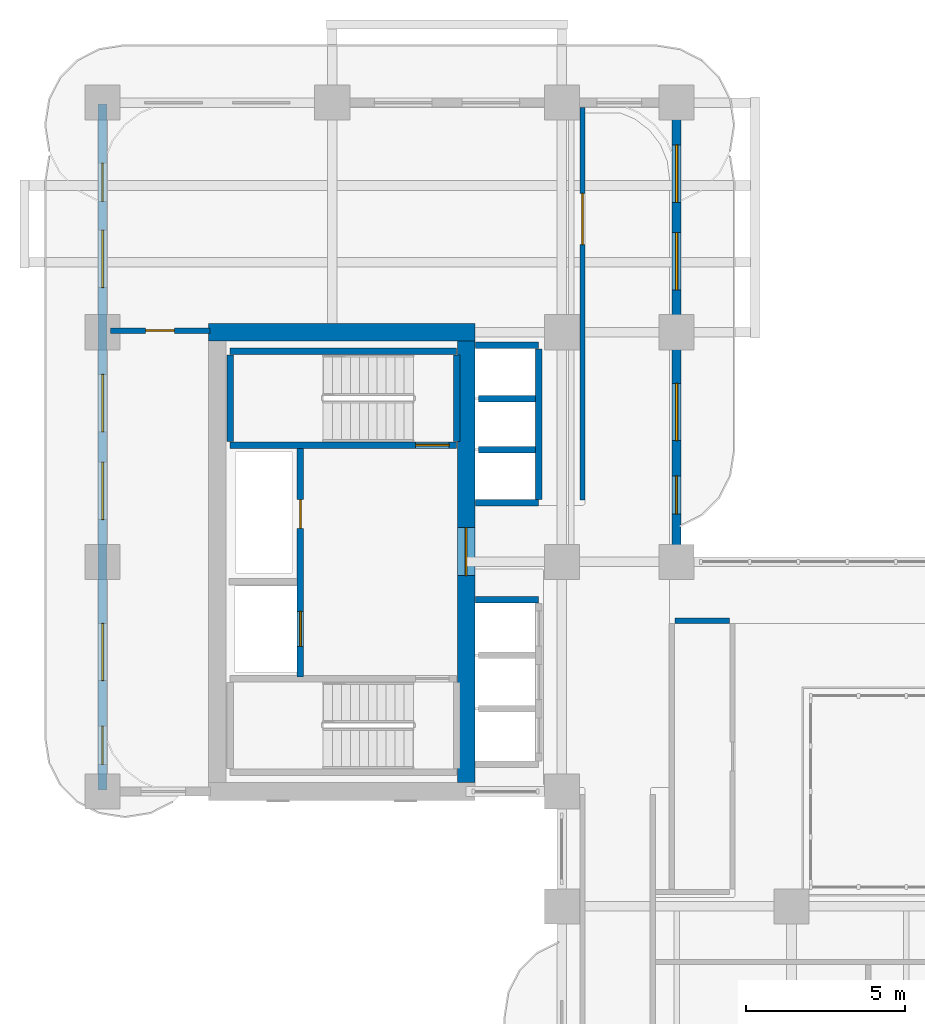
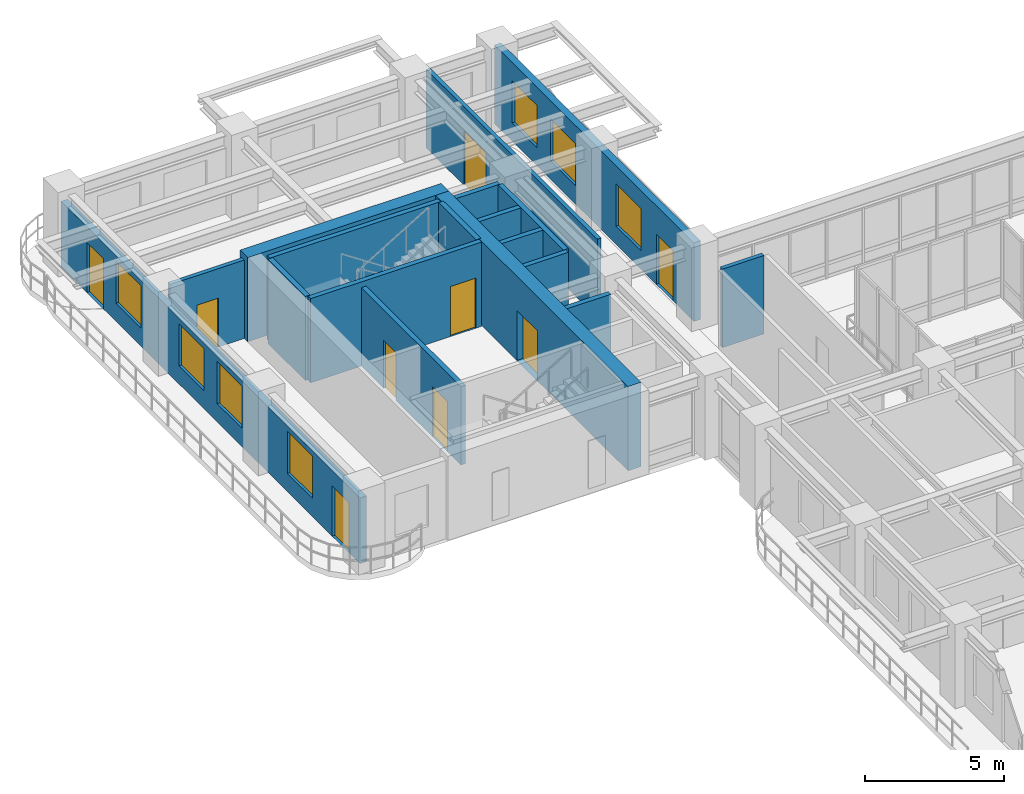
# One storey, part 16 of 22: 18 walls, 9 doors, 7 windows, 16 openings.
"""IFC4 building model written with IfcOpenShell, lengths in metres."""

from ifc_helpers import new_model, si_unit, derived_unit, direction, frame, frame_2d, origin, place, context, subcontext, project, spatial, rectangle, extrude, source, transform, mapped, material, layer, layer_set, type_object, type_shapes, element, fill, save


model = new_model("IFC4")

# Units and contexts
model_context = context("Model", 3, precision=1e-05, world=origin(), true_north=direction((0.0, 1.0)))
body_context = subcontext(model_context, "Body", "Model", "MODEL_VIEW")
ifc_project = project(units=[si_unit("LENGTHUNIT", "METRE"), si_unit("AREAUNIT", "SQUARE_METRE"), si_unit("VOLUMEUNIT", "CUBIC_METRE"), si_unit("PLANEANGLEUNIT", "RADIAN"), si_unit("MASSUNIT", "GRAM", prefix="KILO"), si_unit("THERMODYNAMICTEMPERATUREUNIT", "KELVIN"), si_unit("POWERUNIT", "WATT"), derived_unit("THERMALTRANSMITTANCEUNIT", [(si_unit("POWERUNIT", "WATT"), 1), (si_unit("AREAUNIT", "SQUARE_METRE"), -1), (si_unit("THERMODYNAMICTEMPERATUREUNIT", "KELVIN"), -1)])], contexts=[model_context])

# Site, building, storey
site_placement = place(None, origin())
site = spatial("IfcSite", under=ifc_project, at=site_placement, CompositionType="ELEMENT")
building_placement = place(site_placement, origin())
building = spatial("IfcBuilding", under=site, at=building_placement, Name="Zahravan Archway Hotel and Residences", CompositionType="ELEMENT")
storey_placement = place(building_placement, frame((0.0, 0.0, 95.300048828125)))
storey = spatial("IfcBuildingStorey", under=building, at=storey_placement, Name="L23", CompositionType="ELEMENT", Elevation=95.300048828125)

# Wall
ifc_material_1 = material(Name="Concrete C70/85", Category="concrete")
ifc_layer_1 = layer(ifc_material_1, 0.550048828125, Name="Concrete C70/85", Category="concrete")
ifc_layer_set_1 = layer_set([ifc_layer_1], Name="Concrete C70/85")
wall_type_1 = type_object("IfcWallType", Name="CW-CORE-550", PredefinedType="SHEAR", material=ifc_layer_set_1)
wall_1_placement = place(storey_placement, frame((3.324951171875, 39.60009765625, 0.0), z_axis=(0.0, 0.0, 1.0), x_axis=(1.0, 0.0, 0.0)))
element("IfcWall", 1, at=wall_1_placement, inside=storey, type_object=wall_type_1, Name="L23 Core B Shear N Wall 550 mm", PredefinedType="SHEAR", context=body_context, shape_type="SweptSolid", body=[
    extrude(rectangle(XDim=8.35009765625, YDim=0.550048828125, at=frame_2d((4.175048828125, 0.0))), origin(), (0.0, 0.0, 1.0), 3.699951171875),
])

# Wall, opening, door
wall_2_placement = place(storey_placement, frame((11.39990234375, 25.47509765625, 0.0), z_axis=(0.0, 0.0, 1.0), x_axis=(0.0, 1.0, 0.0)))
wall_2 = element("IfcWall", 2, at=wall_2_placement, inside=storey, type_object=wall_type_1, Name="L23 Core B Shear E Wall 550 mm", PredefinedType="SHEAR", context=body_context, shape_type="SweptSolid", body=[
    extrude(rectangle(XDim=13.849853515625, YDim=0.550048828125, at=frame_2d((6.9248046875, 0.0))), origin(), (0.0, 0.0, 1.0), 3.699951171875),
])
opening_1_placement = place(wall_2_placement, frame((6.4951171875, 0.0, 0.0)))
opening_1 = element("IfcOpeningElement", 3, at=opening_1_placement, cuts=wall_2, Name="Opening FD-L1", PredefinedType="OPENING", context=body_context, shape_type="SweptSolid", body=[
    extrude(rectangle(XDim=1.5, YDim=2.199951171875, at=frame_2d((0.75, 1.10009765625))), frame((0.0, 0.28515625, 0.0), z_axis=(0.0, -1.0, 0.0), x_axis=(1.0, 0.0, 0.0)), (0.0, 0.0, 1.0), 0.570068359375),
])
ifc_material_2 = material(Name="Fire-Rated Painted Steel", Category="steel")
door_type_1 = type_object("IfcDoorType", Name="FD-LOBBY-1500", OperationType="DOUBLE_DOOR_SINGLE_SWING", PredefinedType="DOOR", material=ifc_material_2)
shared_shape_1 = source(origin(), body_context, "Body", "SweptSolid", [
    extrude(rectangle(XDim=1.5, YDim=2.199951171875, at=frame_2d((0.75, 1.10009765625))), frame((0.0, 0.02490234375, 0.0), z_axis=(0.0, -1.0, 0.0), x_axis=(1.0, 0.0, 0.0)), (0.0, 0.0, 1.0), 0.050048828125),
])
type_shapes(door_type_1, [shared_shape_1])
door_1_placement = place(opening_1_placement, origin())
door_1 = element("IfcDoor", 4, at=door_1_placement, inside=storey, type_object=door_type_1, Name="L23 Core B FSAE Lobby Door", OperationType="DOUBLE_DOOR_SINGLE_SWING", OverallHeight=2.199951171875, OverallWidth=1.5, PredefinedType="DOOR", context=body_context, shape_type="MappedRepresentation", body=[
    mapped(shared_shape_1, transform((0.0, 0.0, 0.0), scale=1.0)),
])
fill(opening_1, door_1)

# Wall, openings, doors, windows
ifc_material_3 = material(Name="Honed Red-Ochre Sandstone & Insulated Block", Category="masonry")
ifc_layer_2 = layer(ifc_material_3, 0.280029296875, Name="Honed Red-Ochre Sandstone & Insulated Block", Category="masonry")
ifc_layer_set_2 = layer_set([ifc_layer_2], Name="Honed Red-Ochre Sandstone & Insulated Block")
wall_type_2 = type_object("IfcWallType", Name="EW-LOG-280", PredefinedType="SOLIDWALL", material=ifc_layer_set_2)
wall_3_placement = place(storey_placement, frame((0.0, 25.25, 0.0), z_axis=(0.0, 0.0, 1.0), x_axis=(0.0, 1.0, 0.0)))
wall_3 = element("IfcWall", 5, at=wall_3_placement, inside=storey, type_object=wall_type_2, Name="L23 Exterior Sandstone Wall WB-W", PredefinedType="SOLIDWALL", context=body_context, shape_type="SweptSolid", body=[
    extrude(rectangle(XDim=21.5, YDim=0.280029296875, at=frame_2d((10.75, 0.0))), origin(), (0.0, 0.0, 1.0), 2.885009765625),
])
opening_2_placement = place(wall_3_placement, frame((18.449951171875, 0.0, 0.0)))
opening_2 = element("IfcOpeningElement", 6, at=opening_2_placement, cuts=wall_3, Name="Opening ED-BL1", PredefinedType="OPENING", context=body_context, shape_type="SweptSolid", body=[
    extrude(rectangle(XDim=1.199951171875, YDim=2.199951171875, at=frame_2d((0.60009765625, 1.10009765625))), frame((0.0, 0.14990234375, 0.0), z_axis=(0.0, -1.0, 0.0), x_axis=(1.0, 0.0, 0.0)), (0.0, 0.0, 1.0), 0.300048828125),
])
opening_3_placement = place(wall_3_placement, frame((0.800048828125, 0.0, 0.0)))
opening_3 = element("IfcOpeningElement", 7, at=opening_3_placement, cuts=wall_3, Name="Opening ED-BL1", PredefinedType="OPENING", context=body_context, shape_type="SweptSolid", body=[
    extrude(rectangle(XDim=1.199951171875, YDim=2.199951171875, at=frame_2d((0.60009765625, 1.10009765625))), frame((0.0, 0.14990234375, 0.0), z_axis=(0.0, -1.0, 0.0), x_axis=(1.0, 0.0, 0.0)), (0.0, 0.0, 1.0), 0.300048828125),
])
opening_4_placement = place(wall_3_placement, frame((3.425048828125, 0.0, 0.800048828125)))
opening_4 = element("IfcOpeningElement", 8, at=opening_4_placement, cuts=wall_3, Name="Opening W-02", PredefinedType="OPENING", context=body_context, shape_type="SweptSolid", body=[
    extrude(rectangle(XDim=1.800048828125, YDim=1.85009765625, at=frame_2d((0.89990234375, 0.925048828125))), frame((0.0, 0.14990234375, 0.0), z_axis=(0.0, -1.0, 0.0), x_axis=(1.0, 0.0, 0.0)), (0.0, 0.0, 1.0), 0.300048828125),
])
opening_5_placement = place(wall_3_placement, frame((8.47509765625, 0.0, 0.800048828125)))
opening_5 = element("IfcOpeningElement", 9, at=opening_5_placement, cuts=wall_3, Name="Opening W-02", PredefinedType="OPENING", context=body_context, shape_type="SweptSolid", body=[
    extrude(rectangle(XDim=1.800048828125, YDim=1.85009765625, at=frame_2d((0.89990234375, 0.925048828125))), frame((0.0, 0.14990234375, 0.0), z_axis=(0.0, -1.0, 0.0), x_axis=(1.0, 0.0, 0.0)), (0.0, 0.0, 1.0), 0.300048828125),
])
opening_6_placement = place(wall_3_placement, frame((11.22509765625, 0.0, 0.800048828125)))
opening_6 = element("IfcOpeningElement", 10, at=opening_6_placement, cuts=wall_3, Name="Opening W-02", PredefinedType="OPENING", context=body_context, shape_type="SweptSolid", body=[
    extrude(rectangle(XDim=1.800048828125, YDim=1.85009765625, at=frame_2d((0.89990234375, 0.925048828125))), frame((0.0, 0.14990234375, 0.0), z_axis=(0.0, -1.0, 0.0), x_axis=(1.0, 0.0, 0.0)), (0.0, 0.0, 1.0), 0.300048828125),
])
opening_7_placement = place(wall_3_placement, frame((15.75, 0.0, 0.800048828125)))
opening_7 = element("IfcOpeningElement", 11, at=opening_7_placement, cuts=wall_3, Name="Opening W-02", PredefinedType="OPENING", context=body_context, shape_type="SweptSolid", body=[
    extrude(rectangle(XDim=1.800048828125, YDim=1.85009765625, at=frame_2d((0.89990234375, 0.925048828125))), frame((0.0, 0.14990234375, 0.0), z_axis=(0.0, -1.0, 0.0), x_axis=(1.0, 0.0, 0.0)), (0.0, 0.0, 1.0), 0.300048828125),
])
ifc_material_4 = material(Name="Bronze-Anodized Glazed Aluminium", Category="aluminium")
door_type_2 = type_object("IfcDoorType", Name="ED-BALC-1200", OperationType="SLIDING_TO_LEFT", PredefinedType="DOOR", material=ifc_material_4)
shared_shape_2 = source(origin(), body_context, "Body", "SweptSolid", [
    extrude(rectangle(XDim=1.199951171875, YDim=2.199951171875, at=frame_2d((0.60009765625, 1.10009765625))), frame((0.0, 0.02490234375, 0.0), z_axis=(0.0, -1.0, 0.0), x_axis=(1.0, 0.0, 0.0)), (0.0, 0.0, 1.0), 0.050048828125),
])
type_shapes(door_type_2, [shared_shape_2])
door_2_placement = place(opening_2_placement, origin())
door_2 = element("IfcDoor", 12, at=door_2_placement, inside=storey, type_object=door_type_2, Name="L23 Outdoor Access Sliding Door (SLB-BAL-L23-NB)", OperationType="SLIDING_TO_LEFT", OverallHeight=2.199951171875, OverallWidth=1.199951171875, PredefinedType="DOOR", context=body_context, shape_type="MappedRepresentation", body=[
    mapped(shared_shape_2, transform((0.0, 0.0, 0.0), scale=1.0)),
])
fill(opening_2, door_2)
door_3_placement = place(opening_3_placement, origin())
door_3 = element("IfcDoor", 13, at=door_3_placement, inside=storey, type_object=door_type_2, Name="L23 Outdoor Access Sliding Door (SLB-BAL-L23-WB)", OperationType="SLIDING_TO_LEFT", OverallHeight=2.199951171875, OverallWidth=1.199951171875, PredefinedType="DOOR", context=body_context, shape_type="MappedRepresentation", body=[
    mapped(shared_shape_2, transform((0.0, 0.0, 0.0), scale=1.0)),
])
fill(opening_3, door_3)
ifc_material_5 = material(Name="Bronze-Anodized Thermal-Break Aluminium & Low-E Glass", Category="aluminium")
window_type = type_object("IfcWindowType", Name="WIN-TWR-1800", PartitioningType="DOUBLE_PANEL_VERTICAL", PredefinedType="WINDOW", material=ifc_material_5)
shared_shape_3 = source(origin(), body_context, "Body", "SweptSolid", [
    extrude(rectangle(XDim=1.800048828125, YDim=1.85009765625, at=frame_2d((0.89990234375, 0.925048828125))), frame((0.0, 0.030029296875, 0.0), z_axis=(0.0, -1.0, 0.0), x_axis=(1.0, 0.0, 0.0)), (0.0, 0.0, 1.0), 0.06005859375),
])
type_shapes(window_type, [shared_shape_3])
window_1_placement = place(opening_4_placement, origin())
window_1 = element("IfcWindow", 14, at=window_1_placement, inside=storey, type_object=window_type, Name="L23 Loggia Window 30", OverallHeight=1.85009765625, OverallWidth=1.800048828125, PartitioningType="DOUBLE_PANEL_VERTICAL", PredefinedType="WINDOW", context=body_context, shape_type="MappedRepresentation", body=[
    mapped(shared_shape_3, transform((0.0, 0.0, 0.0), scale=1.0)),
])
fill(opening_4, window_1)
window_2_placement = place(opening_5_placement, origin())
window_2 = element("IfcWindow", 15, at=window_2_placement, inside=storey, type_object=window_type, Name="L23 Loggia Window 31", OverallHeight=1.85009765625, OverallWidth=1.800048828125, PartitioningType="DOUBLE_PANEL_VERTICAL", PredefinedType="WINDOW", context=body_context, shape_type="MappedRepresentation", body=[
    mapped(shared_shape_3, transform((0.0, 0.0, 0.0), scale=1.0)),
])
fill(opening_5, window_2)
window_3_placement = place(opening_6_placement, origin())
window_3 = element("IfcWindow", 16, at=window_3_placement, inside=storey, type_object=window_type, Name="L23 Loggia Window 32", OverallHeight=1.85009765625, OverallWidth=1.800048828125, PartitioningType="DOUBLE_PANEL_VERTICAL", PredefinedType="WINDOW", context=body_context, shape_type="MappedRepresentation", body=[
    mapped(shared_shape_3, transform((0.0, 0.0, 0.0), scale=1.0)),
])
fill(opening_6, window_3)
window_4_placement = place(opening_7_placement, origin())
window_4 = element("IfcWindow", 17, at=window_4_placement, inside=storey, type_object=window_type, Name="L23 Loggia Window 33", OverallHeight=1.85009765625, OverallWidth=1.800048828125, PartitioningType="DOUBLE_PANEL_VERTICAL", PredefinedType="WINDOW", context=body_context, shape_type="MappedRepresentation", body=[
    mapped(shared_shape_3, transform((0.0, 0.0, 0.0), scale=1.0)),
])
fill(opening_7, window_4)

# Wall, openings, door, windows
wall_4_placement = place(storey_placement, frame((18.0, 32.39990234375, 0.0), z_axis=(0.0, 0.0, 1.0), x_axis=(0.0, 1.0, 0.0)))
wall_4 = element("IfcWall", 18, at=wall_4_placement, inside=storey, type_object=wall_type_2, Name="L23 Exterior Sandstone Wall WB-EU", PredefinedType="SOLIDWALL", context=body_context, shape_type="SweptSolid", body=[
    extrude(rectangle(XDim=14.35009765625, YDim=0.280029296875, at=frame_2d((7.175048828125, 0.0))), origin(), (0.0, 0.0, 1.0), 3.449951171875),
])
opening_8_placement = place(wall_4_placement, frame((1.5, 0.0, 0.0)))
opening_8 = element("IfcOpeningElement", 19, at=opening_8_placement, cuts=wall_4, Name="Opening ED-BL1", PredefinedType="OPENING", context=body_context, shape_type="SweptSolid", body=[
    extrude(rectangle(XDim=1.199951171875, YDim=2.199951171875, at=frame_2d((0.60009765625, 1.10009765625))), frame((0.0, 0.14990234375, 0.0), z_axis=(0.0, -1.0, 0.0), x_axis=(1.0, 0.0, 0.0)), (0.0, 0.0, 1.0), 0.300048828125),
])
opening_9_placement = place(wall_4_placement, frame((3.800048828125, 0.0, 0.800048828125)))
opening_9 = element("IfcOpeningElement", 20, at=opening_9_placement, cuts=wall_4, Name="Opening W-02", PredefinedType="OPENING", context=body_context, shape_type="SweptSolid", body=[
    extrude(rectangle(XDim=1.800048828125, YDim=1.85009765625, at=frame_2d((0.89990234375, 0.925048828125))), frame((0.0, 0.14990234375, 0.0), z_axis=(0.0, -1.0, 0.0), x_axis=(1.0, 0.0, 0.0)), (0.0, 0.0, 1.0), 0.300048828125),
])
opening_10_placement = place(wall_4_placement, frame((8.52490234375, 0.0, 0.800048828125)))
opening_10 = element("IfcOpeningElement", 21, at=opening_10_placement, cuts=wall_4, Name="Opening W-02", PredefinedType="OPENING", context=body_context, shape_type="SweptSolid", body=[
    extrude(rectangle(XDim=1.800048828125, YDim=1.85009765625, at=frame_2d((0.89990234375, 0.925048828125))), frame((0.0, 0.14990234375, 0.0), z_axis=(0.0, -1.0, 0.0), x_axis=(1.0, 0.0, 0.0)), (0.0, 0.0, 1.0), 0.300048828125),
])
opening_11_placement = place(wall_4_placement, frame((11.27490234375, 0.0, 0.800048828125)))
opening_11 = element("IfcOpeningElement", 22, at=opening_11_placement, cuts=wall_4, Name="Opening W-02", PredefinedType="OPENING", context=body_context, shape_type="SweptSolid", body=[
    extrude(rectangle(XDim=1.800048828125, YDim=1.85009765625, at=frame_2d((0.89990234375, 0.925048828125))), frame((0.0, 0.14990234375, 0.0), z_axis=(0.0, -1.0, 0.0), x_axis=(1.0, 0.0, 0.0)), (0.0, 0.0, 1.0), 0.300048828125),
])
door_4_placement = place(opening_8_placement, origin())
door_4 = element("IfcDoor", 23, at=door_4_placement, inside=storey, type_object=door_type_2, Name="L23 Outdoor Access Sliding Door (SLB-BAL-L23-EB)", OperationType="SLIDING_TO_LEFT", OverallHeight=2.199951171875, OverallWidth=1.199951171875, PredefinedType="DOOR", context=body_context, shape_type="MappedRepresentation", body=[
    mapped(shared_shape_2, transform((0.0, 0.0, 0.0), scale=1.0)),
])
fill(opening_8, door_4)
window_5_placement = place(opening_9_placement, origin())
window_5 = element("IfcWindow", 24, at=window_5_placement, inside=storey, type_object=window_type, Name="L23 Loggia Window 39", OverallHeight=1.85009765625, OverallWidth=1.800048828125, PartitioningType="DOUBLE_PANEL_VERTICAL", PredefinedType="WINDOW", context=body_context, shape_type="MappedRepresentation", body=[
    mapped(shared_shape_3, transform((0.0, 0.0, 0.0), scale=1.0)),
])
fill(opening_9, window_5)
window_6_placement = place(opening_10_placement, origin())
window_6 = element("IfcWindow", 25, at=window_6_placement, inside=storey, type_object=window_type, Name="L23 Loggia Window 40", OverallHeight=1.85009765625, OverallWidth=1.800048828125, PartitioningType="DOUBLE_PANEL_VERTICAL", PredefinedType="WINDOW", context=body_context, shape_type="MappedRepresentation", body=[
    mapped(shared_shape_3, transform((0.0, 0.0, 0.0), scale=1.0)),
])
fill(opening_10, window_6)
window_7_placement = place(opening_11_placement, origin())
window_7 = element("IfcWindow", 26, at=window_7_placement, inside=storey, type_object=window_type, Name="L23 Loggia Window 41", OverallHeight=1.85009765625, OverallWidth=1.800048828125, PartitioningType="DOUBLE_PANEL_VERTICAL", PredefinedType="WINDOW", context=body_context, shape_type="MappedRepresentation", body=[
    mapped(shared_shape_3, transform((0.0, 0.0, 0.0), scale=1.0)),
])
fill(opening_11, window_7)

# Wall, opening, door
ifc_material_6 = material(Name="Fire-Rated Gypsum & Concrete Block", Category="concrete")
ifc_layer_3 = layer(ifc_material_6, 0.159912109375, Name="Fire-Rated Gypsum & Concrete Block", Category="concrete")
ifc_layer_set_3 = layer_set([ifc_layer_3], Name="Fire-Rated Gypsum & Concrete Block")
wall_type_3 = type_object("IfcWallType", Name="PW-CORR-160", PredefinedType="PARTITIONING", material=ifc_layer_set_3)
wall_5_placement = place(storey_placement, frame((15.050048828125, 34.340087890625, 0.0), z_axis=(0.0, 0.0, 1.0), x_axis=(0.0, 1.0, 0.0)))
wall_5 = element("IfcWall", 27, at=wall_5_placement, inside=storey, type_object=wall_type_3, Name="L23 Partition WBN-C", PredefinedType="PARTITIONING", context=body_context, shape_type="SweptSolid", body=[
    extrude(rectangle(XDim=12.31201171875, YDim=0.159912109375, at=frame_2d((6.156005859375, 0.0))), origin(), (0.0, 0.0, 1.0), 3.449951171875),
])
opening_12_placement = place(wall_5_placement, frame((8.010009765625, 0.0, 0.0)))
opening_12 = element("IfcOpeningElement", 28, at=opening_12_placement, cuts=wall_5, Name="Opening D-P2", PredefinedType="OPENING", context=body_context, shape_type="SweptSolid", body=[
    extrude(rectangle(XDim=1.60009765625, YDim=2.39990234375, at=frame_2d((0.800048828125, 1.199951171875))), frame((0.0, 0.08984375, 0.0), z_axis=(0.0, -1.0, 0.0), x_axis=(1.0, 0.0, 0.0)), (0.0, 0.0, 1.0), 0.179931640625),
])
door_type_3 = type_object("IfcDoorType", Name="ID-PUBLIC-1600", OperationType="DOUBLE_DOOR_SINGLE_SWING", PredefinedType="DOOR", material=ifc_material_4)
shared_shape_4 = source(origin(), body_context, "Body", "SweptSolid", [
    extrude(rectangle(XDim=1.60009765625, YDim=2.39990234375, at=frame_2d((0.800048828125, 1.199951171875))), frame((0.0, 0.02490234375, 0.0), z_axis=(0.0, -1.0, 0.0), x_axis=(1.0, 0.0, 0.0)), (0.0, 0.0, 1.0), 0.050048828125),
])
type_shapes(door_type_3, [shared_shape_4])
door_5_placement = place(opening_12_placement, origin())
door_5 = element("IfcDoor", 29, at=door_5_placement, inside=storey, type_object=door_type_3, Name="L23 North Wing Spa Salon Door", OperationType="DOUBLE_DOOR_SINGLE_SWING", OverallHeight=2.39990234375, OverallWidth=1.60009765625, PredefinedType="DOOR", context=body_context, shape_type="MappedRepresentation", body=[
    mapped(shared_shape_4, transform((0.0, 0.0, 0.0), scale=1.0)),
])
fill(opening_12, door_5)

# Wall, openings, doors
ifc_layer_4 = layer(ifc_material_6, 0.199951171875, Name="Fire-Rated Gypsum & Concrete Block", Category="concrete")
ifc_layer_set_4 = layer_set([ifc_layer_4], Name="Fire-Rated Gypsum & Concrete Block")
wall_type_4 = type_object("IfcWallType", Name="PW-SHAFT-200", PredefinedType="PARTITIONING", material=ifc_layer_set_4)
wall_6_placement = place(storey_placement, frame((6.199951171875, 28.7900390625, 0.0), z_axis=(0.0, 0.0, 1.0), x_axis=(0.0, 1.0, 0.0)))
wall_6 = element("IfcWall", 30, at=wall_6_placement, inside=storey, type_object=wall_type_4, Name="L23 Partition CB-FL3E", PredefinedType="PARTITIONING", context=body_context, shape_type="SweptSolid", body=[
    extrude(rectangle(XDim=7.219970703125, YDim=0.199951171875, at=frame_2d((3.60986328125, 0.0))), origin(), (0.0, 0.0, 1.0), 3.449951171875),
])
opening_13_placement = place(wall_6_placement, frame((4.659912109375, 0.0, 0.0)))
opening_13 = element("IfcOpeningElement", 31, at=opening_13_placement, cuts=wall_6, Name="Opening FD-R1", PredefinedType="OPENING", context=body_context, shape_type="SweptSolid", body=[
    extrude(rectangle(XDim=0.89990234375, YDim=2.10009765625, at=frame_2d((0.449951171875, 1.050048828125))), frame((0.0, 0.10986328125, 0.0), z_axis=(0.0, -1.0, 0.0), x_axis=(1.0, 0.0, 0.0)), (0.0, 0.0, 1.0), 0.219970703125),
])
opening_14_placement = place(wall_6_placement, frame((0.9599609375, 0.0, 0.0)))
opening_14 = element("IfcOpeningElement", 32, at=opening_14_placement, cuts=wall_6, Name="Opening LD", PredefinedType="OPENING", context=body_context, shape_type="SweptSolid", body=[
    extrude(rectangle(XDim=1.10009765625, YDim=2.199951171875, at=frame_2d((0.550048828125, 1.10009765625))), frame((0.0, 0.10986328125, 0.0), z_axis=(0.0, -1.0, 0.0), x_axis=(1.0, 0.0, 0.0)), (0.0, 0.0, 1.0), 0.219970703125),
])
door_type_4 = type_object("IfcDoorType", Name="FD-RISER-900", OperationType="NOTDEFINED", PredefinedType="DOOR", material=ifc_material_2)
shared_shape_5 = source(origin(), body_context, "Body", "SweptSolid", [
    extrude(rectangle(XDim=0.89990234375, YDim=2.10009765625, at=frame_2d((0.449951171875, 1.050048828125))), frame((0.0, 0.02490234375, 0.0), z_axis=(0.0, -1.0, 0.0), x_axis=(1.0, 0.0, 0.0)), (0.0, 0.0, 1.0), 0.050048828125),
])
type_shapes(door_type_4, [shared_shape_5])
door_6_placement = place(opening_13_placement, origin())
door_6 = element("IfcDoor", 33, at=door_6_placement, inside=storey, type_object=door_type_4, Name="L23 Core B Riser Door", OperationType="SINGLE_SWING_LEFT", OverallHeight=2.10009765625, OverallWidth=0.89990234375, PredefinedType="DOOR", context=body_context, shape_type="MappedRepresentation", body=[
    mapped(shared_shape_5, transform((0.0, 0.0, 0.0), scale=1.0)),
])
fill(opening_13, door_6)
ifc_material_7 = material(Name="Brushed Stainless Steel", Category="steel")
door_type_5 = type_object("IfcDoorType", Name="DR-LIFT-LD", OperationType="SLIDING_TO_LEFT", PredefinedType="DOOR", material=ifc_material_7)
shared_shape_6 = source(origin(), body_context, "Body", "SweptSolid", [
    extrude(rectangle(XDim=1.10009765625, YDim=2.199951171875, at=frame_2d((0.550048828125, 1.10009765625))), frame((0.0, 0.02490234375, 0.0), z_axis=(0.0, -1.0, 0.0), x_axis=(1.0, 0.0, 0.0)), (0.0, 0.0, 1.0), 0.050048828125),
])
type_shapes(door_type_5, [shared_shape_6])
door_7_placement = place(opening_14_placement, origin())
door_7 = element("IfcDoor", 34, at=door_7_placement, inside=storey, type_object=door_type_5, Name="L23 Lift FL-3 Sliding Landing Door", OperationType="SLIDING_TO_LEFT", OverallHeight=2.199951171875, OverallWidth=1.10009765625, PredefinedType="DOOR", context=body_context, shape_type="MappedRepresentation", body=[
    mapped(shared_shape_6, transform((0.0, 0.0, 0.0), scale=1.0)),
])
fill(opening_14, door_7)

# Walls
for number, where, z_axis, x_axis, name in (
    (35, (11.68505859375, 31.2099609375, 0.0), (0.0, 0.0, 1.0), (1.0, 0.0, 0.0), "L23 Partition B1-N"),
    (36, (11.68505859375, 34.25, 0.0), (0.0, 0.0, 1.0), (1.0, 0.0, 0.0), "L23 Partition B2-S"),
    (37, (11.68505859375, 39.18994140625, 0.0), (0.0, 0.0, 1.0), (1.0, 0.0, 0.0), "L23 Partition B2-N"),
):
    element("IfcWall", number, at=place(storey_placement, frame(where, z_axis=z_axis, x_axis=x_axis)), inside=storey, type_object=wall_type_4, Name=name, PredefinedType="PARTITIONING", context=body_context, shape_type="SweptSolid", body=[
        extrude(rectangle(XDim=1.98486328125, YDim=0.199951171875, at=frame_2d((0.992431640625, 0.0))), origin(), (0.0, 0.0, 1.0), 3.449951171875),
    ])
wall_7_placement = place(storey_placement, frame((13.679931640625, 34.360107421875, 0.0), z_axis=(0.0, 0.0, 1.0), x_axis=(0.0, 1.0, 0.0)))
element("IfcWall", 38, at=wall_7_placement, inside=storey, type_object=wall_type_4, Name="L23 Partition B2-E", PredefinedType="PARTITIONING", context=body_context, shape_type="SweptSolid", body=[
    extrude(rectangle(XDim=4.719970703125, YDim=0.199951171875, at=frame_2d((2.35986328125, 0.0))), origin(), (0.0, 0.0, 1.0), 3.449951171875),
])
for number, where, z_axis, x_axis, name in (
    (39, (11.784912109375, 35.919921875, 0.0), (0.0, 0.0, 1.0), (1.0, 0.0, 0.0), "L23 Partition B2-D"),
    (40, (11.784912109375, 37.52001953125, 0.0), (0.0, 0.0, 1.0), (1.0, 0.0, 0.0), "L23 Partition B2-D"),
):
    element("IfcWall", number, at=place(storey_placement, frame(where, z_axis=z_axis, x_axis=x_axis)), inside=storey, type_object=wall_type_4, Name=name, PredefinedType="PARTITIONING", context=body_context, shape_type="SweptSolid", body=[
        extrude(rectangle(XDim=1.78515625, YDim=0.199951171875, at=frame_2d((0.892578125, 0.0))), origin(), (0.0, 0.0, 1.0), 3.449951171875),
    ])

# Wall, opening, door
ifc_material_8 = material(Name="Acoustic Stud Partition")
ifc_layer_5 = layer(ifc_material_8, 0.169921875, Name="Acoustic Stud Partition")
ifc_layer_set_5 = layer_set([ifc_layer_5], Name="Acoustic Stud Partition")
wall_type_5 = type_object("IfcWallType", Name="PW-UNIT-170", PredefinedType="PARTITIONING", material=ifc_layer_set_5)
wall_8_placement = place(storey_placement, frame((0.239990234375, 39.64990234375, 0.0), z_axis=(0.0, 0.0, 1.0), x_axis=(1.0, 0.0, 0.0)))
wall_8 = element("IfcWall", 41, at=wall_8_placement, inside=storey, type_object=wall_type_5, Name="L23 Partition WBW-N", PredefinedType="PARTITIONING", context=body_context, shape_type="SweptSolid", body=[
    extrude(rectangle(XDim=3.1201171875, YDim=0.169921875, at=frame_2d((1.56005859375, 0.0))), origin(), (0.0, 0.0, 1.0), 3.449951171875),
])
opening_15_placement = place(wall_8_placement, frame((1.110107421875, 0.0, 0.0)))
opening_15 = element("IfcOpeningElement", 42, at=opening_15_placement, cuts=wall_8, Name="Opening D-I2", PredefinedType="OPENING", context=body_context, shape_type="SweptSolid", body=[
    extrude(rectangle(XDim=0.89990234375, YDim=2.14990234375, at=frame_2d((0.449951171875, 1.074951171875))), frame((0.0, 0.094970703125, 0.0), z_axis=(0.0, -1.0, 0.0), x_axis=(1.0, 0.0, 0.0)), (0.0, 0.0, 1.0), 0.18994140625),
])
ifc_material_9 = material(Name="Hardwood Veneer Timber", Category="wood")
door_type_6 = type_object("IfcDoorType", Name="ID-INT-900", OperationType="NOTDEFINED", PredefinedType="DOOR", material=ifc_material_9)
shared_shape_7 = source(origin(), body_context, "Body", "SweptSolid", [
    extrude(rectangle(XDim=0.89990234375, YDim=2.14990234375, at=frame_2d((0.449951171875, 1.074951171875))), frame((0.0, 0.02490234375, 0.0), z_axis=(0.0, -1.0, 0.0), x_axis=(1.0, 0.0, 0.0)), (0.0, 0.0, 1.0), 0.050048828125),
])
type_shapes(door_type_6, [shared_shape_7])
door_8_placement = place(opening_15_placement, origin())
door_8 = element("IfcDoor", 43, at=door_8_placement, inside=storey, type_object=door_type_6, Name="L23 West Loggia Salon Door", OperationType="SINGLE_SWING_RIGHT", OverallHeight=2.14990234375, OverallWidth=0.89990234375, PredefinedType="DOOR", context=body_context, shape_type="MappedRepresentation", body=[
    mapped(shared_shape_7, transform((0.0, 0.0, 0.0), scale=1.0)),
])
fill(opening_15, door_8)

# Walls
wall_9_placement = place(storey_placement, frame((17.93994140625, 30.550048828125, 0.0), z_axis=(0.0, 0.0, 1.0), x_axis=(1.0, 0.0, 0.0)))
element("IfcWall", 44, at=wall_9_placement, inside=storey, type_object=wall_type_5, Name="L23 Partition ATR-WLN", PredefinedType="PARTITIONING", context=body_context, shape_type="SweptSolid", body=[
    extrude(rectangle(XDim=1.719970703125, YDim=0.169921875, at=frame_2d((0.85986328125, 0.0))), origin(), (0.0, 0.0, 1.0), 3.449951171875),
])
ifc_material_10 = material(Name="Concrete C50/60", Category="concrete")
ifc_layer_6 = layer(ifc_material_10, 0.199951171875, Name="Concrete C50/60", Category="concrete")
ifc_layer_set_6 = layer_set([ifc_layer_6], Name="Concrete C50/60")
wall_type_6 = type_object("IfcWallType", Name="SW-STAIR-200", PredefinedType="SHEAR", material=ifc_layer_set_6)
wall_10_placement = place(storey_placement, frame((4.0, 39.0, 0.0), z_axis=(0.0, 0.0, 1.0), x_axis=(1.0, 0.0, 0.0)))
element("IfcWall", 45, at=wall_10_placement, inside=storey, type_object=wall_type_6, Name="L23 Stairwell RC Wall CB-SB2N", PredefinedType="SHEAR", context=body_context, shape_type="SweptSolid", body=[
    extrude(rectangle(XDim=7.10009765625, YDim=0.199951171875, at=frame_2d((3.550048828125, 0.0))), origin(), (0.0, 0.0, 1.0), 3.699951171875),
])
for number, where, z_axis, x_axis, name in (
    (46, (4.0, 36.179931640625, 0.0), (0.0, 0.0, 1.0), (0.0, 1.0, 0.0), "L23 Stairwell RC Wall CB-SB2W"),
    (47, (11.10009765625, 36.179931640625, 0.0), (0.0, 0.0, 1.0), (0.0, 1.0, 0.0), "L23 Stairwell RC Wall CB-SB2E"),
):
    element("IfcWall", number, at=place(storey_placement, frame(where, z_axis=z_axis, x_axis=x_axis)), inside=storey, type_object=wall_type_6, Name=name, PredefinedType="SHEAR", context=body_context, shape_type="SweptSolid", body=[
        extrude(rectangle(XDim=2.699951171875, YDim=0.199951171875, at=frame_2d((1.35009765625, 0.0))), origin(), (0.0, 0.0, 1.0), 3.699951171875),
    ])

# Wall, opening, door
wall_11_placement = place(storey_placement, frame((4.0, 36.06005859375, 0.0), z_axis=(0.0, 0.0, 1.0), x_axis=(1.0, 0.0, 0.0)))
wall_11 = element("IfcWall", 48, at=wall_11_placement, inside=storey, type_object=wall_type_6, Name="L23 Stairwell RC Wall CB-SB2S", PredefinedType="SHEAR", context=body_context, shape_type="SweptSolid", body=[
    extrude(rectangle(XDim=7.10009765625, YDim=0.199951171875, at=frame_2d((3.550048828125, 0.0))), origin(), (0.0, 0.0, 1.0), 3.699951171875),
])
opening_16_placement = place(wall_11_placement, frame((5.81494140625, 0.0, 0.0)))
opening_16 = element("IfcOpeningElement", 49, at=opening_16_placement, cuts=wall_11, Name="Opening FD-S1", PredefinedType="OPENING", context=body_context, shape_type="SweptSolid", body=[
    extrude(rectangle(XDim=1.050048828125, YDim=2.199951171875, at=frame_2d((0.52490234375, 1.10009765625))), frame((0.0, 0.10986328125, 0.0), z_axis=(0.0, -1.0, 0.0), x_axis=(1.0, 0.0, 0.0)), (0.0, 0.0, 1.0), 0.219970703125),
])
door_type_7 = type_object("IfcDoorType", Name="FD-STAIR-1100", OperationType="NOTDEFINED", PredefinedType="DOOR", material=ifc_material_2)
shared_shape_8 = source(origin(), body_context, "Body", "SweptSolid", [
    extrude(rectangle(XDim=1.050048828125, YDim=2.199951171875, at=frame_2d((0.52490234375, 1.10009765625))), frame((0.0, 0.02490234375, 0.0), z_axis=(0.0, -1.0, 0.0), x_axis=(1.0, 0.0, 0.0)), (0.0, 0.0, 1.0), 0.050048828125),
])
type_shapes(door_type_7, [shared_shape_8])
door_9_placement = place(opening_16_placement, origin())
door_9 = element("IfcDoor", 50, at=door_9_placement, inside=storey, type_object=door_type_7, Name="L23 Stair ST-B2 Door", OperationType="SINGLE_SWING_RIGHT", OverallHeight=2.199951171875, OverallWidth=1.050048828125, PredefinedType="DOOR", context=body_context, shape_type="MappedRepresentation", body=[
    mapped(shared_shape_8, transform((0.0, 0.0, 0.0), scale=1.0)),
])
fill(opening_16, door_9)

save(model, "model.ifc")
